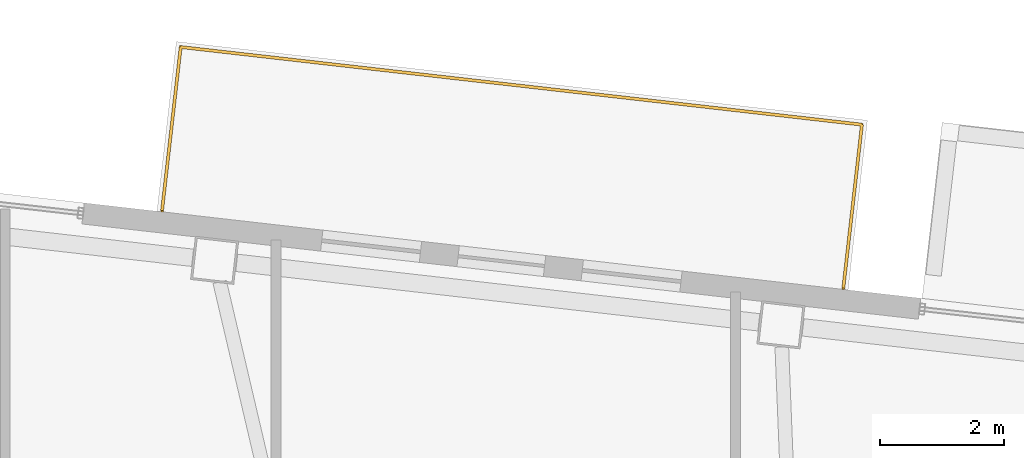
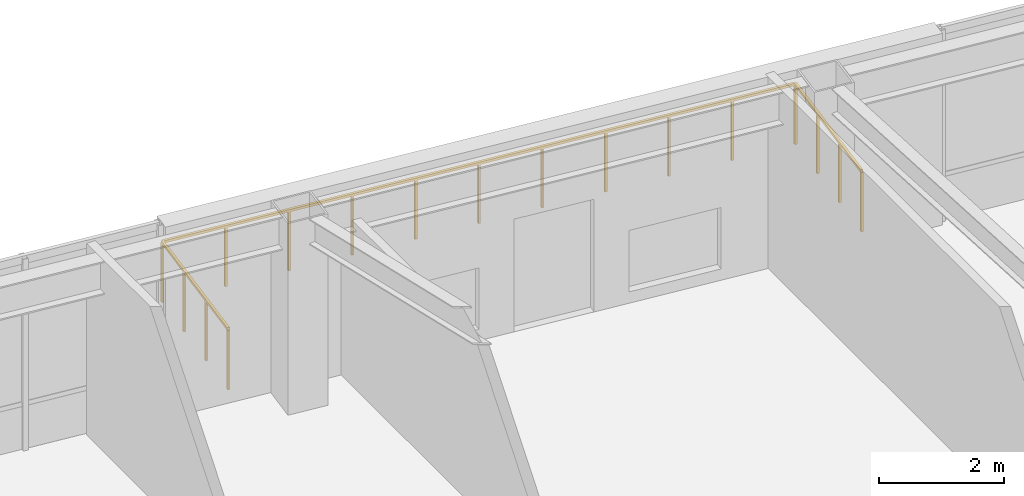
# One storey, part 21 of 21: 1 railing.
"""IFC4 building model written with IfcOpenShell, lengths in metres."""

from ifc_helpers import new_model, si_unit, direction, frame, origin, origin_2d, place, context, subcontext, project, spatial, rectangle, extrude, material, layer, layer_set, type_object, element, save


model = new_model("IFC4")

# Units and contexts
model_context = context("Model", 3, precision=1e-05, world=origin(), true_north=direction((0.0, 1.0)))
body_context = subcontext(model_context, "Body", "Model", "MODEL_VIEW")
ifc_project = project(units=[si_unit("LENGTHUNIT", "METRE"), si_unit("AREAUNIT", "SQUARE_METRE"), si_unit("VOLUMEUNIT", "CUBIC_METRE"), si_unit("PLANEANGLEUNIT", "RADIAN"), si_unit("MASSUNIT", "GRAM", prefix="KILO")], contexts=[model_context])

# Site, building, storey
site_placement = place(None, origin())
site = spatial("IfcSite", under=ifc_project, at=site_placement, CompositionType="ELEMENT")
building_placement = place(site_placement, origin())
building = spatial("IfcBuilding", under=site, at=building_placement, Name="Tavrogorsk Clinical Tower", CompositionType="ELEMENT")
storey_placement = place(building_placement, frame((0.0, 0.0, 125.39990234375)))
storey = spatial("IfcBuildingStorey", under=building, at=storey_placement, Name="L28", CompositionType="ELEMENT", Elevation=125.39990234375)

# Railing
ifc_material = material(Name="Stainless steel AISI 316 and laminated glass balustrade", Category="steel")
ifc_layer = layer(ifc_material, 0.090087890625)
ifc_layer_set = layer_set([ifc_layer], Name="Stainless steel AISI 316 and laminated glass balustrade")
railing_type = type_object("IfcRailingType", Name="TerraceGuardRailing_1200", PredefinedType="BALUSTRADE", material=ifc_layer_set)
railing_placement = place(storey_placement, frame((-0.27490234375, 23.4853515625, 0.0)))
element("IfcRailing", 1, at=railing_placement, inside=storey, type_object=railing_type, Name="L28 Spiralling Terrace Balustrade GD-01", PredefinedType="BALUSTRADE", context=body_context, shape_type="SweptSolid", body=[
    extrude(rectangle(XDim=0.048095703125, YDim=0.048095703125, at=origin_2d()), frame((0.0, 0.0, 1.17578125), z_axis=(0.113221808681, 0.993569736878, 0.0), x_axis=(-0.993569736878, 0.113221808681, 0.0)), (0.0, 0.0, 1.0), 2.650146484375),
    extrude(rectangle(XDim=0.048095703125, YDim=0.048095703125, at=origin_2d()), frame((0.300048828125, 2.633056640625, 1.17578125), z_axis=(0.993571887876, -0.113202931159, 0.0), x_axis=(0.113202931159, 0.993571887876, 0.0)), (0.0, 0.0, 1.0), 11.0400390625),
    extrude(rectangle(XDim=0.048095703125, YDim=0.048095703125, at=origin_2d()), frame((11.26904296875, 1.38330078125, 1.17578125), z_axis=(-0.113130863078, -0.993580096328, 0.0), x_axis=(0.993580096328, -0.113130863078, 0.0)), (0.0, 0.0, 1.0), 2.650146484375),
    extrude(rectangle(XDim=0.0419921875, YDim=0.0419921875, at=origin_2d()), origin(), (0.0, 0.0, 1.0), 1.15185546875),
    extrude(rectangle(XDim=0.0419921875, YDim=0.0419921875, at=origin_2d()), frame((0.10009765625, 0.877685546875, 0.0)), (0.0, 0.0, 1.0), 1.15185546875),
    extrude(rectangle(XDim=0.0419921875, YDim=0.0419921875, at=origin_2d()), frame((0.199951171875, 1.75537109375, 0.0)), (0.0, 0.0, 1.0), 1.15185546875),
    extrude(rectangle(XDim=0.0419921875, YDim=0.0419921875, at=origin_2d()), frame((0.300048828125, 2.633056640625, 0.0)), (0.0, 0.0, 1.0), 1.15185546875),
    extrude(rectangle(XDim=0.0419921875, YDim=0.0419921875, at=origin_2d()), frame((1.39697265625, 2.508056640625, 0.0)), (0.0, 0.0, 1.0), 1.15185546875),
    extrude(rectangle(XDim=0.0419921875, YDim=0.0419921875, at=origin_2d()), frame((2.493896484375, 2.383056640625, 0.0)), (0.0, 0.0, 1.0), 1.15185546875),
    extrude(rectangle(XDim=0.0419921875, YDim=0.0419921875, at=origin_2d()), frame((3.5908203125, 2.258056640625, 0.0)), (0.0, 0.0, 1.0), 1.15185546875),
    extrude(rectangle(XDim=0.0419921875, YDim=0.0419921875, at=origin_2d()), frame((4.687744140625, 2.133056640625, 0.0)), (0.0, 0.0, 1.0), 1.15185546875),
    extrude(rectangle(XDim=0.0419921875, YDim=0.0419921875, at=origin_2d()), frame((5.78466796875, 2.00830078125, 0.0)), (0.0, 0.0, 1.0), 1.15185546875),
    extrude(rectangle(XDim=0.0419921875, YDim=0.0419921875, at=origin_2d()), frame((6.88134765625, 1.88330078125, 0.0)), (0.0, 0.0, 1.0), 1.15185546875),
    extrude(rectangle(XDim=0.0419921875, YDim=0.0419921875, at=origin_2d()), frame((7.978271484375, 1.75830078125, 0.0)), (0.0, 0.0, 1.0), 1.15185546875),
    extrude(rectangle(XDim=0.0419921875, YDim=0.0419921875, at=origin_2d()), frame((9.0751953125, 1.63330078125, 0.0)), (0.0, 0.0, 1.0), 1.15185546875),
    extrude(rectangle(XDim=0.0419921875, YDim=0.0419921875, at=origin_2d()), frame((10.172119140625, 1.50830078125, 0.0)), (0.0, 0.0, 1.0), 1.15185546875),
    extrude(rectangle(XDim=0.0419921875, YDim=0.0419921875, at=origin_2d()), frame((11.26904296875, 1.38330078125, 0.0)), (0.0, 0.0, 1.0), 1.15185546875),
    extrude(rectangle(XDim=0.0419921875, YDim=0.0419921875, at=origin_2d()), frame((11.169189453125, 0.505615234375, 0.0)), (0.0, 0.0, 1.0), 1.15185546875),
    extrude(rectangle(XDim=0.0419921875, YDim=0.0419921875, at=origin_2d()), frame((11.069091796875, -0.3720703125, 0.0)), (0.0, 0.0, 1.0), 1.15185546875),
    extrude(rectangle(XDim=0.0419921875, YDim=0.0419921875, at=origin_2d()), frame((10.96923828125, -1.249755859375, 0.0)), (0.0, 0.0, 1.0), 1.15185546875),
])

save(model, "model.ifc")
